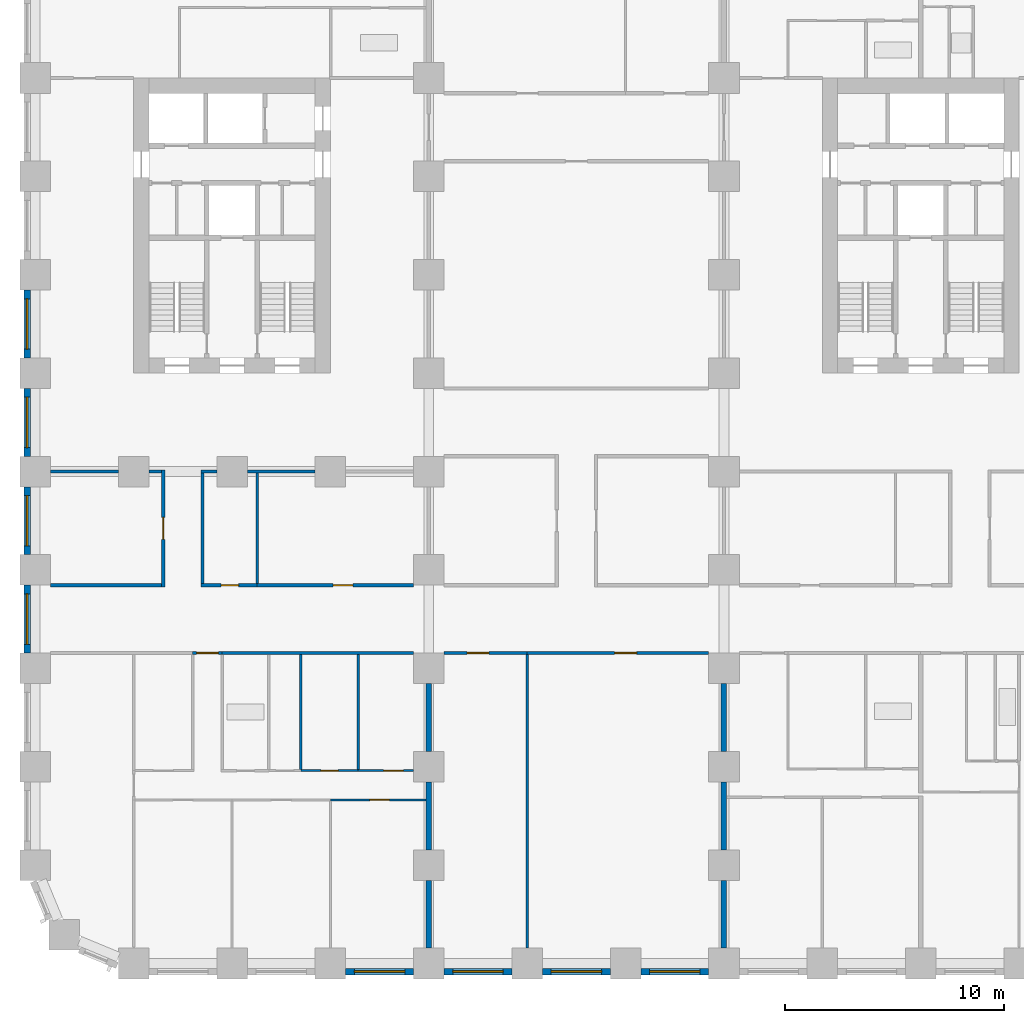
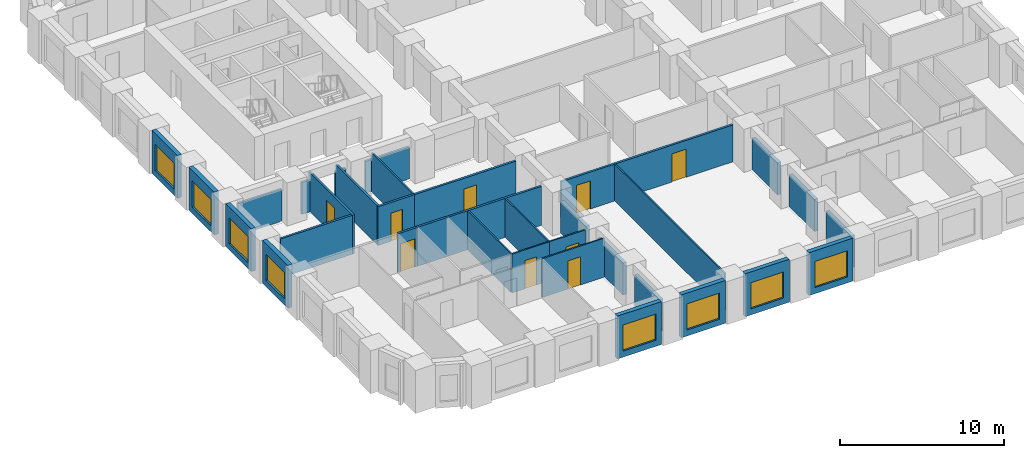
# One storey, part 3 of 12: 34 walls, 9 doors, 8 windows, 17 openings.
"""IFC4 building model written with IfcOpenShell, lengths in metres."""

from ifc_helpers import new_model, si_unit, direction, frame, frame_2d, origin, place, context, subcontext, project, spatial, rectangle, extrude, material, layer, layer_set, type_object, element, fill, save


model = new_model("IFC4")

# Units and contexts
model_context = context("Model", 3, precision=1e-05, world=origin(), true_north=direction((0.0, 1.0)))
body_context = subcontext(model_context, "Body", "Model", "MODEL_VIEW")
ifc_project = project(units=[si_unit("LENGTHUNIT", "METRE"), si_unit("AREAUNIT", "SQUARE_METRE"), si_unit("VOLUMEUNIT", "CUBIC_METRE"), si_unit("PLANEANGLEUNIT", "RADIAN"), si_unit("MASSUNIT", "GRAM", prefix="KILO")], contexts=[model_context])

# Site, building, storey
site_placement = place(None, origin())
site = spatial("IfcSite", under=ifc_project, at=site_placement, CompositionType="ELEMENT")
building_placement = place(site_placement, origin())
building = spatial("IfcBuilding", under=site, at=building_placement, Name="Girih Gate Residences", CompositionType="ELEMENT")
storey_placement = place(building_placement, frame((0.0, 0.0, 59.199951171875)))
storey = spatial("IfcBuildingStorey", under=building, at=storey_placement, Name="L15", CompositionType="ELEMENT", Elevation=59.199951171875)

# Walls
ifc_material_1 = material(Name="Gypsum board on steel studs", Category="steel")
ifc_layer_1 = layer(ifc_material_1, 0.25)
ifc_layer_set_1 = layer_set([ifc_layer_1], Name="Acoustic separating wall 250 mm")
wall_type_1 = type_object("IfcWallType", Name="Acoustic separating wall 250 mm", PredefinedType="PARTITIONING", material=ifc_layer_set_1)
for number, where, z_axis, x_axis, name in (
    (1, (18.0, 5.199951171875, 0.0), (0.0, 0.0, 1.0), (0.0, 1.0, 0.0), "L15 partition"),
    (2, (18.0, 0.699951171875, 0.0), (0.0, 0.0, 1.0), (0.0, 1.0, 0.0), "L15 partition"),
    (3, (18.0, 9.699951171875, 0.0), (0.0, 0.0, 1.0), (0.0, 1.0, 0.0), "L15 partition"),
    (4, (31.5, 9.699951171875, 0.0), (0.0, 0.0, 1.0), (0.0, 1.0, 0.0), "L15 partition"),
    (5, (31.5, 0.699951171875, 0.0), (0.0, 0.0, 1.0), (0.0, 1.0, 0.0), "L15 partition"),
    (6, (31.5, 5.199951171875, 0.0), (0.0, 0.0, 1.0), (0.0, 1.0, 0.0), "L15 partition"),
):
    element("IfcWall", number, at=place(storey_placement, frame(where, z_axis=z_axis, x_axis=x_axis)), inside=storey, type_object=wall_type_1, Name=name, PredefinedType="PARTITIONING", context=body_context, shape_type="SweptSolid", body=[
        extrude(rectangle(XDim=3.10009765625, YDim=0.25, at=frame_2d((1.550048828125, 0.0))), origin(), (0.0, 0.0, 1.0), 2.380126953125),
    ])
ifc_layer_2 = layer(ifc_material_1, 0.14990234375)
ifc_layer_set_2 = layer_set([ifc_layer_2], Name="Compartment wall 150 mm")
wall_type_2 = type_object("IfcWallType", Name="Compartment wall 150 mm", PredefinedType="PARTITIONING", material=ifc_layer_set_2)
wall_1_placement = place(storey_placement, frame((8.550048828125, 14.199951171875, 0.0), z_axis=(0.0, 0.0, 1.0), x_axis=(1.0, 0.0, 0.0)))
element("IfcWall", 7, at=wall_1_placement, inside=storey, type_object=wall_type_2, Name="L15 partition", PredefinedType="PARTITIONING", context=body_context, shape_type="SweptSolid", body=[
    extrude(rectangle(XDim=8.75, YDim=0.14990234375, at=frame_2d((4.375, 0.0))), origin(), (0.0, 0.0, 1.0), 2.900146484375),
])

# Wall, opening, door
wall_2_placement = place(storey_placement, frame((8.550048828125, 14.199951171875, 0.0), z_axis=(0.0, 0.0, 1.0), x_axis=(-1.0, 0.0, 0.0)))
wall_2 = element("IfcWall", 8, at=wall_2_placement, inside=storey, type_object=wall_type_2, Name="L15 partition", PredefinedType="PARTITIONING", context=body_context, shape_type="SweptSolid", body=[
    extrude(rectangle(XDim=1.35009765625, YDim=0.14990234375, at=frame_2d((0.675048828125, 0.0))), origin(), (0.0, 0.0, 1.0), 2.900146484375),
])
opening_1_placement = place(wall_2_placement, frame((0.175048828125, 0.0, 0.0)))
opening_1 = element("IfcOpeningElement", 9, at=opening_1_placement, cuts=wall_2, Name="Opening A15-010", PredefinedType="OPENING", context=body_context, shape_type="SweptSolid", body=[
    extrude(rectangle(XDim=1.0, YDim=2.10009765625, at=frame_2d((0.5, 1.050048828125))), frame((0.0, 0.0849609375, 0.0), z_axis=(0.0, -1.0, 0.0), x_axis=(1.0, 0.0, 0.0)), (0.0, 0.0, 1.0), 0.169921875),
])
ifc_material_2 = material(Name="Timber, fire-rated core", Category="wood")
door_type_1 = type_object("IfcDoorType", Name="Flat entrance door 1000x2100 FD30S", OperationType="NOTDEFINED", PredefinedType="DOOR", material=ifc_material_2)
door_1_placement = place(opening_1_placement, origin())
door_1 = element("IfcDoor", 10, at=door_1_placement, inside=storey, type_object=door_type_1, Name="Door A15-010", OperationType="SINGLE_SWING_RIGHT", OverallHeight=2.10009765625, OverallWidth=1.0, PredefinedType="DOOR", context=body_context, shape_type="SweptSolid", body=[
    extrude(rectangle(XDim=1.0, YDim=2.10009765625, at=frame_2d((0.5, 1.050048828125))), frame((0.0, 0.02490234375, 0.0), z_axis=(0.0, -1.0, 0.0), x_axis=(1.0, 0.0, 0.0)), (0.0, 0.0, 1.0), 0.050048828125),
])
fill(opening_1, door_1)

wall_3_placement = place(storey_placement, frame((22.5, 14.199951171875, 0.0), z_axis=(0.0, 0.0, 1.0), x_axis=(-1.0, 0.0, 0.0)))
wall_3 = element("IfcWall", 11, at=wall_3_placement, inside=storey, type_object=wall_type_2, Name="L15 partition", PredefinedType="PARTITIONING", context=body_context, shape_type="SweptSolid", body=[
    extrude(rectangle(XDim=3.800048828125, YDim=0.14990234375, at=frame_2d((1.89990234375, 0.0))), origin(), (0.0, 0.0, 1.0), 2.75),
])
opening_2_placement = place(wall_3_placement, frame((1.75, 0.0, 0.0)))
opening_2 = element("IfcOpeningElement", 12, at=opening_2_placement, cuts=wall_3, Name="Opening A15-043", PredefinedType="OPENING", context=body_context, shape_type="SweptSolid", body=[
    extrude(rectangle(XDim=1.0, YDim=2.10009765625, at=frame_2d((0.5, 1.050048828125))), frame((0.0, 0.0849609375, 0.0), z_axis=(0.0, -1.0, 0.0), x_axis=(1.0, 0.0, 0.0)), (0.0, 0.0, 1.0), 0.169921875),
])
door_type_2 = type_object("IfcDoorType", Name="Amenity room door 1000x2100 FD30S", OperationType="NOTDEFINED", PredefinedType="DOOR", material=ifc_material_2)
door_2_placement = place(opening_2_placement, origin())
door_2 = element("IfcDoor", 13, at=door_2_placement, inside=storey, type_object=door_type_2, Name="Door A15-043", OperationType="SINGLE_SWING_RIGHT", OverallHeight=2.10009765625, OverallWidth=1.0, PredefinedType="DOOR", context=body_context, shape_type="SweptSolid", body=[
    extrude(rectangle(XDim=1.0, YDim=2.10009765625, at=frame_2d((0.5, 1.050048828125))), frame((0.0, 0.02490234375, 0.0), z_axis=(0.0, -1.0, 0.0), x_axis=(1.0, 0.0, 0.0)), (0.0, 0.0, 1.0), 0.050048828125),
])
fill(opening_2, door_2)

wall_4_placement = place(storey_placement, frame((30.800048828125, 14.199951171875, 0.0), z_axis=(0.0, 0.0, 1.0), x_axis=(-1.0, 0.0, 0.0)))
wall_4 = element("IfcWall", 14, at=wall_4_placement, inside=storey, type_object=wall_type_2, Name="L15 partition", PredefinedType="PARTITIONING", context=body_context, shape_type="SweptSolid", body=[
    extrude(rectangle(XDim=8.300048828125, YDim=0.14990234375, at=frame_2d((4.14990234375, 0.0))), origin(), (0.0, 0.0, 1.0), 2.75),
])
opening_3_placement = place(wall_4_placement, frame((3.300048828125, 0.0, 0.0)))
opening_3 = element("IfcOpeningElement", 15, at=opening_3_placement, cuts=wall_4, Name="Opening A15-044", PredefinedType="OPENING", context=body_context, shape_type="SweptSolid", body=[
    extrude(rectangle(XDim=1.0, YDim=2.10009765625, at=frame_2d((0.5, 1.050048828125))), frame((0.0, 0.0849609375, 0.0), z_axis=(0.0, -1.0, 0.0), x_axis=(1.0, 0.0, 0.0)), (0.0, 0.0, 1.0), 0.169921875),
])
door_3_placement = place(opening_3_placement, origin())
door_3 = element("IfcDoor", 16, at=door_3_placement, inside=storey, type_object=door_type_2, Name="Door A15-044", OperationType="SINGLE_SWING_LEFT", OverallHeight=2.10009765625, OverallWidth=1.0, PredefinedType="DOOR", context=body_context, shape_type="SweptSolid", body=[
    extrude(rectangle(XDim=1.0, YDim=2.10009765625, at=frame_2d((0.5, 1.050048828125))), frame((0.0, 0.02490234375, 0.0), z_axis=(0.0, -1.0, 0.0), x_axis=(1.0, 0.0, 0.0)), (0.0, 0.0, 1.0), 0.050048828125),
])
fill(opening_3, door_3)

wall_5_placement = place(storey_placement, frame((10.14990234375, 17.300048828125, 0.0), z_axis=(0.0, 0.0, 1.0), x_axis=(1.0, 0.0, 0.0)))
wall_5 = element("IfcWall", 17, at=wall_5_placement, inside=storey, type_object=wall_type_2, Name="L15 partition", PredefinedType="PARTITIONING", context=body_context, shape_type="SweptSolid", body=[
    extrude(rectangle(XDim=7.150146484375, YDim=0.14990234375, at=frame_2d((3.5751953125, 0.0))), origin(), (0.0, 0.0, 1.0), 2.900146484375),
])
opening_4_placement = place(wall_5_placement, frame((3.47509765625, 0.0, 0.0)))
opening_4 = element("IfcOpeningElement", 18, at=opening_4_placement, cuts=wall_5, Name="Opening A15-048", PredefinedType="OPENING", context=body_context, shape_type="SweptSolid", body=[
    extrude(rectangle(XDim=0.89990234375, YDim=2.10009765625, at=frame_2d((0.449951171875, 1.050048828125))), frame((0.0, 0.0849609375, 0.0), z_axis=(0.0, -1.0, 0.0), x_axis=(1.0, 0.0, 0.0)), (0.0, 0.0, 1.0), 0.169921875),
])
ifc_material_3 = material(Name="Timber", Category="wood")
door_type_3 = type_object("IfcDoorType", Name="Service room door 900x2100", OperationType="NOTDEFINED", PredefinedType="DOOR", material=ifc_material_3)
door_4_placement = place(opening_4_placement, origin())
door_4 = element("IfcDoor", 19, at=door_4_placement, inside=storey, type_object=door_type_3, Name="Door A15-048", OperationType="SINGLE_SWING_RIGHT", OverallHeight=2.10009765625, OverallWidth=0.89990234375, PredefinedType="DOOR", context=body_context, shape_type="SweptSolid", body=[
    extrude(rectangle(XDim=0.89990234375, YDim=2.10009765625, at=frame_2d((0.449951171875, 1.050048828125))), frame((0.0, 0.02490234375, 0.0), z_axis=(0.0, -1.0, 0.0), x_axis=(1.0, 0.0, 0.0)), (0.0, 0.0, 1.0), 0.050048828125),
])
fill(opening_4, door_4)

wall_6_placement = place(storey_placement, frame((7.574951171875, 17.300048828125, 0.0), z_axis=(0.0, 0.0, 1.0), x_axis=(1.0, 0.0, 0.0)))
wall_6 = element("IfcWall", 20, at=wall_6_placement, inside=storey, type_object=wall_type_2, Name="L15 partition", PredefinedType="PARTITIONING", context=body_context, shape_type="SweptSolid", body=[
    extrude(rectangle(XDim=2.574951171875, YDim=0.14990234375, at=frame_2d((1.28759765625, 0.0))), origin(), (0.0, 0.0, 1.0), 2.900146484375),
])
opening_5_placement = place(wall_6_placement, frame((0.925048828125, 0.0, 0.0)))
opening_5 = element("IfcOpeningElement", 21, at=opening_5_placement, cuts=wall_6, Name="Opening A15-050", PredefinedType="OPENING", context=body_context, shape_type="SweptSolid", body=[
    extrude(rectangle(XDim=0.800048828125, YDim=2.10009765625, at=frame_2d((0.39990234375, 1.050048828125))), frame((0.0, 0.0849609375, 0.0), z_axis=(0.0, -1.0, 0.0), x_axis=(1.0, 0.0, 0.0)), (0.0, 0.0, 1.0), 0.169921875),
])
door_type_4 = type_object("IfcDoorType", Name="Bathroom door 800x2100", OperationType="NOTDEFINED", PredefinedType="DOOR", material=ifc_material_3)
door_5_placement = place(opening_5_placement, origin())
door_5 = element("IfcDoor", 22, at=door_5_placement, inside=storey, type_object=door_type_4, Name="Door A15-050", OperationType="SINGLE_SWING_RIGHT", OverallHeight=2.10009765625, OverallWidth=0.800048828125, PredefinedType="DOOR", context=body_context, shape_type="SweptSolid", body=[
    extrude(rectangle(XDim=0.800048828125, YDim=2.10009765625, at=frame_2d((0.39990234375, 1.050048828125))), frame((0.0, 0.02490234375, 0.0), z_axis=(0.0, -1.0, 0.0), x_axis=(1.0, 0.0, 0.0)), (0.0, 0.0, 1.0), 0.050048828125),
])
fill(opening_5, door_5)

# Walls
wall_7_placement = place(storey_placement, frame((0.699951171875, 17.300048828125, 0.0), z_axis=(0.0, 0.0, 1.0), x_axis=(1.0, 0.0, 0.0)))
element("IfcWall", 23, at=wall_7_placement, inside=storey, type_object=wall_type_2, Name="L15 partition", PredefinedType="PARTITIONING", context=body_context, shape_type="SweptSolid", body=[
    extrude(rectangle(XDim=5.074951171875, YDim=0.14990234375, at=frame_2d((2.53759765625, 0.0))), origin(), (0.0, 0.0, 1.0), 2.900146484375),
])
wall_8_placement = place(storey_placement, frame((9.699951171875, 22.5, 0.0), z_axis=(0.0, 0.0, 1.0), x_axis=(1.0, 0.0, 0.0)))
element("IfcWall", 24, at=wall_8_placement, inside=storey, type_object=wall_type_2, Name="L15 partition", PredefinedType="PARTITIONING", context=body_context, shape_type="SweptSolid", body=[
    extrude(rectangle(XDim=3.10009765625, YDim=0.14990234375, at=frame_2d((1.550048828125, 0.0))), origin(), (0.0, 0.0, 1.0), 2.380126953125),
])
wall_9_placement = place(storey_placement, frame((7.574951171875, 22.5, 0.0), z_axis=(0.0, 0.0, 1.0), x_axis=(1.0, 0.0, 0.0)))
element("IfcWall", 25, at=wall_9_placement, inside=storey, type_object=wall_type_2, Name="L15 partition", PredefinedType="PARTITIONING", context=body_context, shape_type="SweptSolid", body=[
    extrude(rectangle(XDim=0.72509765625, YDim=0.14990234375, at=frame_2d((0.362548828125, 0.0))), origin(), (0.0, 0.0, 1.0), 2.380126953125),
])
wall_10_placement = place(storey_placement, frame((5.199951171875, 22.5, 0.0), z_axis=(0.0, 0.0, 1.0), x_axis=(1.0, 0.0, 0.0)))
element("IfcWall", 26, at=wall_10_placement, inside=storey, type_object=wall_type_2, Name="L15 partition", PredefinedType="PARTITIONING", context=body_context, shape_type="SweptSolid", body=[
    extrude(rectangle(XDim=0.574951171875, YDim=0.14990234375, at=frame_2d((0.28759765625, 0.0))), origin(), (0.0, 0.0, 1.0), 2.380126953125),
])
wall_11_placement = place(storey_placement, frame((0.699951171875, 22.5, 0.0), z_axis=(0.0, 0.0, 1.0), x_axis=(1.0, 0.0, 0.0)))
element("IfcWall", 27, at=wall_11_placement, inside=storey, type_object=wall_type_2, Name="L15 partition", PredefinedType="PARTITIONING", context=body_context, shape_type="SweptSolid", body=[
    extrude(rectangle(XDim=3.10009765625, YDim=0.14990234375, at=frame_2d((1.550048828125, 0.0))), origin(), (0.0, 0.0, 1.0), 2.380126953125),
])
wall_12_placement = place(storey_placement, frame((7.64990234375, 17.375, 0.0), z_axis=(0.0, 0.0, 1.0), x_axis=(0.0, 1.0, 0.0)))
element("IfcWall", 28, at=wall_12_placement, inside=storey, type_object=wall_type_2, Name="L15 partition", PredefinedType="PARTITIONING", context=body_context, shape_type="SweptSolid", body=[
    extrude(rectangle(XDim=5.050048828125, YDim=0.14990234375, at=frame_2d((2.52490234375, 0.0))), origin(), (0.0, 0.0, 1.0), 2.900146484375),
])

# Wall, opening, door
wall_13_placement = place(storey_placement, frame((5.85009765625, 17.22509765625, 0.0), z_axis=(0.0, 0.0, 1.0), x_axis=(0.0, 1.0, 0.0)))
wall_13 = element("IfcWall", 29, at=wall_13_placement, inside=storey, type_object=wall_type_2, Name="L15 partition", PredefinedType="PARTITIONING", context=body_context, shape_type="SweptSolid", body=[
    extrude(rectangle(XDim=5.349853515625, YDim=0.14990234375, at=frame_2d((2.6748046875, 0.0))), origin(), (0.0, 0.0, 1.0), 2.900146484375),
])
opening_6_placement = place(wall_13_placement, frame((2.175048828125, 0.0, 0.0)))
opening_6 = element("IfcOpeningElement", 30, at=opening_6_placement, cuts=wall_13, Name="Opening A15-052", PredefinedType="OPENING", context=body_context, shape_type="SweptSolid", body=[
    extrude(rectangle(XDim=1.0, YDim=2.10009765625, at=frame_2d((0.5, 1.050048828125))), frame((0.0, 0.0849609375, 0.0), z_axis=(0.0, -1.0, 0.0), x_axis=(1.0, 0.0, 0.0)), (0.0, 0.0, 1.0), 0.169921875),
])
door_6_placement = place(opening_6_placement, origin())
door_6 = element("IfcDoor", 31, at=door_6_placement, inside=storey, type_object=door_type_2, Name="Door A15-052", OperationType="SINGLE_SWING_LEFT", OverallHeight=2.10009765625, OverallWidth=1.0, PredefinedType="DOOR", context=body_context, shape_type="SweptSolid", body=[
    extrude(rectangle(XDim=1.0, YDim=2.10009765625, at=frame_2d((0.5, 1.050048828125))), frame((0.0, 0.02490234375, 0.0), z_axis=(0.0, -1.0, 0.0), x_axis=(1.0, 0.0, 0.0)), (0.0, 0.0, 1.0), 0.050048828125),
])
fill(opening_6, door_6)

ifc_layer_3 = layer(ifc_material_1, 0.10009765625)
ifc_layer_set_3 = layer_set([ifc_layer_3], Name="Partition 100 mm")
wall_type_3 = type_object("IfcWallType", Name="Partition 100 mm", PredefinedType="PARTITIONING", material=ifc_layer_set_3)
wall_14_placement = place(storey_placement, frame((17.875, 7.47998046875, 0.0), z_axis=(0.0, 0.0, 1.0), x_axis=(-1.0, 0.0, 0.0)))
wall_14 = element("IfcWall", 32, at=wall_14_placement, inside=storey, type_object=wall_type_3, Name="L15 partition", PredefinedType="PARTITIONING", context=body_context, shape_type="SweptSolid", body=[
    extrude(rectangle(XDim=4.375, YDim=0.10009765625, at=frame_2d((2.1875, 0.0))), origin(), (0.0, 0.0, 1.0), 2.900146484375),
])
opening_7_placement = place(wall_14_placement, frame((1.675048828125, 0.0, 0.0)))
opening_7 = element("IfcOpeningElement", 33, at=opening_7_placement, cuts=wall_14, Name="Opening A15-004", PredefinedType="OPENING", context=body_context, shape_type="SweptSolid", body=[
    extrude(rectangle(XDim=0.89990234375, YDim=2.10009765625, at=frame_2d((0.449951171875, 1.050048828125))), frame((0.0, 0.06005859375, 0.0), z_axis=(0.0, -1.0, 0.0), x_axis=(1.0, 0.0, 0.0)), (0.0, 0.0, 1.0), 0.1201171875),
])
door_type_5 = type_object("IfcDoorType", Name="Bedroom door 900x2100", OperationType="NOTDEFINED", PredefinedType="DOOR", material=ifc_material_3)
door_7_placement = place(opening_7_placement, origin())
door_7 = element("IfcDoor", 34, at=door_7_placement, inside=storey, type_object=door_type_5, Name="Door A15-004", OperationType="SINGLE_SWING_LEFT", OverallHeight=2.10009765625, OverallWidth=0.89990234375, PredefinedType="DOOR", context=body_context, shape_type="SweptSolid", body=[
    extrude(rectangle(XDim=0.89990234375, YDim=2.10009765625, at=frame_2d((0.449951171875, 1.050048828125))), frame((0.0, 0.02490234375, 0.0), z_axis=(0.0, -1.0, 0.0), x_axis=(1.0, 0.0, 0.0)), (0.0, 0.0, 1.0), 0.050048828125),
])
fill(opening_7, door_7)

wall_15_placement = place(storey_placement, frame((12.143310546875, 8.820068359375, 0.0), z_axis=(0.0, 0.0, 1.0), x_axis=(1.0, 0.0, 0.0)))
wall_15 = element("IfcWall", 35, at=wall_15_placement, inside=storey, type_object=wall_type_3, Name="L15 partition", PredefinedType="PARTITIONING", context=body_context, shape_type="SweptSolid", body=[
    extrude(rectangle(XDim=2.627685546875, YDim=0.10009765625, at=frame_2d((1.31396484375, 0.0))), origin(), (0.0, 0.0, 1.0), 2.900146484375),
])
opening_8_placement = place(wall_15_placement, frame((0.913818359375, 0.0, 0.0)))
opening_8 = element("IfcOpeningElement", 36, at=opening_8_placement, cuts=wall_15, Name="Opening A15-005", PredefinedType="OPENING", context=body_context, shape_type="SweptSolid", body=[
    extrude(rectangle(XDim=0.800048828125, YDim=2.10009765625, at=frame_2d((0.39990234375, 1.050048828125))), frame((0.0, 0.06005859375, 0.0), z_axis=(0.0, -1.0, 0.0), x_axis=(1.0, 0.0, 0.0)), (0.0, 0.0, 1.0), 0.1201171875),
])
door_type_6 = type_object("IfcDoorType", Name="Store door 800x2100", OperationType="NOTDEFINED", PredefinedType="DOOR", material=ifc_material_3)
door_8_placement = place(opening_8_placement, origin())
door_8 = element("IfcDoor", 37, at=door_8_placement, inside=storey, type_object=door_type_6, Name="Door A15-005", OperationType="SINGLE_SWING_LEFT", OverallHeight=2.10009765625, OverallWidth=0.800048828125, PredefinedType="DOOR", context=body_context, shape_type="SweptSolid", body=[
    extrude(rectangle(XDim=0.800048828125, YDim=2.10009765625, at=frame_2d((0.39990234375, 1.050048828125))), frame((0.0, 0.02490234375, 0.0), z_axis=(0.0, -1.0, 0.0), x_axis=(1.0, 0.0, 0.0)), (0.0, 0.0, 1.0), 0.050048828125),
])
fill(opening_8, door_8)

# Walls
for number, where, z_axis, x_axis, name in (
    (38, (12.14306640625, 8.8701171875, 0.0), (0.0, 0.0, 1.0), (0.0, 1.0, 0.0), "L15 partition"),
    (39, (14.77099609375, 8.8701171875, 0.0), (0.0, 0.0, 1.0), (0.0, 1.0, 0.0), "L15 partition"),
):
    element("IfcWall", number, at=place(storey_placement, frame(where, z_axis=z_axis, x_axis=x_axis)), inside=storey, type_object=wall_type_3, Name=name, PredefinedType="PARTITIONING", context=body_context, shape_type="SweptSolid", body=[
        extrude(rectangle(XDim=5.2548828125, YDim=0.10009765625, at=frame_2d((2.62744140625, 0.0))), origin(), (0.0, 0.0, 1.0), 2.900146484375),
    ])

# Wall, opening, door
wall_16_placement = place(storey_placement, frame((14.77099609375, 8.820068359375, 0.0), z_axis=(0.0, 0.0, 1.0), x_axis=(1.0, 0.0, 0.0)))
wall_16 = element("IfcWall", 40, at=wall_16_placement, inside=storey, type_object=wall_type_3, Name="L15 partition", PredefinedType="PARTITIONING", context=body_context, shape_type="SweptSolid", body=[
    extrude(rectangle(XDim=2.529052734375, YDim=0.10009765625, at=frame_2d((1.2646484375, 0.0))), origin(), (0.0, 0.0, 1.0), 2.900146484375),
])
opening_9_placement = place(wall_16_placement, frame((1.16455078125, 0.0, 0.0)))
opening_9 = element("IfcOpeningElement", 41, at=opening_9_placement, cuts=wall_16, Name="Opening A15-009", PredefinedType="OPENING", context=body_context, shape_type="SweptSolid", body=[
    extrude(rectangle(XDim=0.89990234375, YDim=2.10009765625, at=frame_2d((0.449951171875, 1.050048828125))), frame((0.0, 0.06005859375, 0.0), z_axis=(0.0, -1.0, 0.0), x_axis=(1.0, 0.0, 0.0)), (0.0, 0.0, 1.0), 0.1201171875),
])
door_9_placement = place(opening_9_placement, origin())
door_9 = element("IfcDoor", 42, at=door_9_placement, inside=storey, type_object=door_type_5, Name="Door A15-009", OperationType="SINGLE_SWING_RIGHT", OverallHeight=2.10009765625, OverallWidth=0.89990234375, PredefinedType="DOOR", context=body_context, shape_type="SweptSolid", body=[
    extrude(rectangle(XDim=0.89990234375, YDim=2.10009765625, at=frame_2d((0.449951171875, 1.050048828125))), frame((0.0, 0.02490234375, 0.0), z_axis=(0.0, -1.0, 0.0), x_axis=(1.0, 0.0, 0.0)), (0.0, 0.0, 1.0), 0.050048828125),
])
fill(opening_9, door_9)

# Walls
wall_17_placement = place(storey_placement, frame((22.5, 0.699951171875, 0.0), z_axis=(0.0, 0.0, 1.0), x_axis=(0.0, 1.0, 0.0)))
element("IfcWall", 43, at=wall_17_placement, inside=storey, type_object=wall_type_3, Name="L15 partition", PredefinedType="PARTITIONING", context=body_context, shape_type="SweptSolid", body=[
    extrude(rectangle(XDim=13.425048828125, YDim=0.10009765625, at=frame_2d((6.71240234375, 0.0))), origin(), (0.0, 0.0, 1.0), 2.75),
])
wall_18_placement = place(storey_placement, frame((10.14990234375, 17.375, 0.0), z_axis=(0.0, 0.0, 1.0), x_axis=(0.0, 1.0, 0.0)))
element("IfcWall", 44, at=wall_18_placement, inside=storey, type_object=wall_type_3, Name="L15 partition", PredefinedType="PARTITIONING", context=body_context, shape_type="SweptSolid", body=[
    extrude(rectangle(XDim=5.050048828125, YDim=0.10009765625, at=frame_2d((2.52490234375, 0.0))), origin(), (0.0, 0.0, 1.0), 2.900146484375),
])

# Wall, opening, window
ifc_material_4 = material(Name="Precast concrete C50/60", Category="concrete")
ifc_layer_4 = layer(ifc_material_4, 0.080078125, Name="Outer leaf")
ifc_material_5 = material(Name="Rigid PIR insulation")
ifc_layer_5 = layer(ifc_material_5, 0.14990234375, Name="Insulation")
ifc_material_6 = material(Name="Precast concrete C40/50", Category="concrete")
ifc_layer_6 = layer(ifc_material_6, 0.070068359375, Name="Inner leaf")
ifc_layer_set_4 = layer_set([ifc_layer_4, ifc_layer_5, ifc_layer_6], Name="Precast concrete C50/60 external wall 300")
wall_type_4 = type_object("IfcWallType", Name="Precast concrete C50/60 external wall 300", PredefinedType="SOLIDWALL", material=ifc_layer_set_4)
wall_19_placement = place(storey_placement, frame((17.300048828125, -0.375, 0.0), z_axis=(0.0, 0.0, 1.0), x_axis=(-1.0, 0.0, 0.0)))
wall_19 = element("IfcWall", 45, at=wall_19_placement, inside=storey, type_object=wall_type_4, Name="External wall S0045_0000.2", PredefinedType="SOLIDWALL", context=body_context, shape_type="SweptSolid", body=[
    extrude(rectangle(XDim=3.10009765625, YDim=0.300048828125, at=frame_2d((1.550048828125, 0.0))), origin(), (0.0, 0.0, 1.0), 3.199951171875),
])
opening_10_placement = place(wall_19_placement, frame((0.39990234375, 0.0, 0.449951171875)))
opening_10 = element("IfcOpeningElement", 46, at=opening_10_placement, cuts=wall_19, Name="Opening W-1", PredefinedType="OPENING", context=body_context, shape_type="SweptSolid", body=[
    extrude(rectangle(XDim=2.300048828125, YDim=1.949951171875, at=frame_2d((1.14990234375, 0.97509765625))), frame((0.0, 0.159912109375, 0.0), z_axis=(0.0, -1.0, 0.0), x_axis=(1.0, 0.0, 0.0)), (0.0, 0.0, 1.0), 0.320068359375),
])
ifc_material_7 = material(Name="Double glazing in aluminium frame", Category="aluminium")
window_type = type_object("IfcWindowType", Name="Window W-1 2300x1950", PartitioningType="SINGLE_PANEL", PredefinedType="WINDOW", material=ifc_material_7)
window_1_placement = place(opening_10_placement, origin())
window_1 = element("IfcWindow", 47, at=window_1_placement, inside=storey, type_object=window_type, Name="Window W-1 S0045_0000.2", OverallHeight=1.949951171875, OverallWidth=2.300048828125, PartitioningType="SINGLE_PANEL", PredefinedType="WINDOW", context=body_context, shape_type="SweptSolid", body=[
    extrude(rectangle(XDim=2.300048828125, YDim=1.949951171875, at=frame_2d((1.14990234375, 0.97509765625))), frame((0.0, 0.030029296875, 0.0), z_axis=(0.0, -1.0, 0.0), x_axis=(1.0, 0.0, 0.0)), (0.0, 0.0, 1.0), 0.06005859375),
])
fill(opening_10, window_1)

wall_20_placement = place(storey_placement, frame((21.800048828125, -0.375, 0.0), z_axis=(0.0, 0.0, 1.0), x_axis=(-1.0, 0.0, 0.0)))
wall_20 = element("IfcWall", 48, at=wall_20_placement, inside=storey, type_object=wall_type_4, Name="External wall S0045_0000.3", PredefinedType="SOLIDWALL", context=body_context, shape_type="SweptSolid", body=[
    extrude(rectangle(XDim=3.10009765625, YDim=0.300048828125, at=frame_2d((1.550048828125, 0.0))), origin(), (0.0, 0.0, 1.0), 3.199951171875),
])
opening_11_placement = place(wall_20_placement, frame((0.39990234375, 0.0, 0.449951171875)))
opening_11 = element("IfcOpeningElement", 49, at=opening_11_placement, cuts=wall_20, Name="Opening W-1", PredefinedType="OPENING", context=body_context, shape_type="SweptSolid", body=[
    extrude(rectangle(XDim=2.300048828125, YDim=1.949951171875, at=frame_2d((1.14990234375, 0.97509765625))), frame((0.0, 0.159912109375, 0.0), z_axis=(0.0, -1.0, 0.0), x_axis=(1.0, 0.0, 0.0)), (0.0, 0.0, 1.0), 0.320068359375),
])
window_2_placement = place(opening_11_placement, origin())
window_2 = element("IfcWindow", 50, at=window_2_placement, inside=storey, type_object=window_type, Name="Window W-1 S0045_0000.3", OverallHeight=1.949951171875, OverallWidth=2.300048828125, PartitioningType="SINGLE_PANEL", PredefinedType="WINDOW", context=body_context, shape_type="SweptSolid", body=[
    extrude(rectangle(XDim=2.300048828125, YDim=1.949951171875, at=frame_2d((1.14990234375, 0.97509765625))), frame((0.0, 0.030029296875, 0.0), z_axis=(0.0, -1.0, 0.0), x_axis=(1.0, 0.0, 0.0)), (0.0, 0.0, 1.0), 0.06005859375),
])
fill(opening_11, window_2)

wall_21_placement = place(storey_placement, frame((26.300048828125, -0.375, 0.0), z_axis=(0.0, 0.0, 1.0), x_axis=(-1.0, 0.0, 0.0)))
wall_21 = element("IfcWall", 51, at=wall_21_placement, inside=storey, type_object=wall_type_4, Name="External wall S0045_0000.4", PredefinedType="SOLIDWALL", context=body_context, shape_type="SweptSolid", body=[
    extrude(rectangle(XDim=3.10009765625, YDim=0.300048828125, at=frame_2d((1.550048828125, 0.0))), origin(), (0.0, 0.0, 1.0), 3.199951171875),
])
opening_12_placement = place(wall_21_placement, frame((0.39990234375, 0.0, 0.449951171875)))
opening_12 = element("IfcOpeningElement", 52, at=opening_12_placement, cuts=wall_21, Name="Opening W-1", PredefinedType="OPENING", context=body_context, shape_type="SweptSolid", body=[
    extrude(rectangle(XDim=2.300048828125, YDim=1.949951171875, at=frame_2d((1.14990234375, 0.97509765625))), frame((0.0, 0.159912109375, 0.0), z_axis=(0.0, -1.0, 0.0), x_axis=(1.0, 0.0, 0.0)), (0.0, 0.0, 1.0), 0.320068359375),
])
window_3_placement = place(opening_12_placement, origin())
window_3 = element("IfcWindow", 53, at=window_3_placement, inside=storey, type_object=window_type, Name="Window W-1 S0045_0000.4", OverallHeight=1.949951171875, OverallWidth=2.300048828125, PartitioningType="SINGLE_PANEL", PredefinedType="WINDOW", context=body_context, shape_type="SweptSolid", body=[
    extrude(rectangle(XDim=2.300048828125, YDim=1.949951171875, at=frame_2d((1.14990234375, 0.97509765625))), frame((0.0, 0.030029296875, 0.0), z_axis=(0.0, -1.0, 0.0), x_axis=(1.0, 0.0, 0.0)), (0.0, 0.0, 1.0), 0.06005859375),
])
fill(opening_12, window_3)

wall_22_placement = place(storey_placement, frame((30.800048828125, -0.375, 0.0), z_axis=(0.0, 0.0, 1.0), x_axis=(-1.0, 0.0, 0.0)))
wall_22 = element("IfcWall", 54, at=wall_22_placement, inside=storey, type_object=wall_type_4, Name="External wall S0045_0000.5", PredefinedType="SOLIDWALL", context=body_context, shape_type="SweptSolid", body=[
    extrude(rectangle(XDim=3.10009765625, YDim=0.300048828125, at=frame_2d((1.550048828125, 0.0))), origin(), (0.0, 0.0, 1.0), 3.199951171875),
])
opening_13_placement = place(wall_22_placement, frame((0.39990234375, 0.0, 0.449951171875)))
opening_13 = element("IfcOpeningElement", 55, at=opening_13_placement, cuts=wall_22, Name="Opening W-1", PredefinedType="OPENING", context=body_context, shape_type="SweptSolid", body=[
    extrude(rectangle(XDim=2.300048828125, YDim=1.949951171875, at=frame_2d((1.14990234375, 0.97509765625))), frame((0.0, 0.159912109375, 0.0), z_axis=(0.0, -1.0, 0.0), x_axis=(1.0, 0.0, 0.0)), (0.0, 0.0, 1.0), 0.320068359375),
])
window_4_placement = place(opening_13_placement, origin())
window_4 = element("IfcWindow", 56, at=window_4_placement, inside=storey, type_object=window_type, Name="Window W-1 S0045_0000.5", OverallHeight=1.949951171875, OverallWidth=2.300048828125, PartitioningType="SINGLE_PANEL", PredefinedType="WINDOW", context=body_context, shape_type="SweptSolid", body=[
    extrude(rectangle(XDim=2.300048828125, YDim=1.949951171875, at=frame_2d((1.14990234375, 0.97509765625))), frame((0.0, 0.030029296875, 0.0), z_axis=(0.0, -1.0, 0.0), x_axis=(1.0, 0.0, 0.0)), (0.0, 0.0, 1.0), 0.06005859375),
])
fill(opening_13, window_4)

wall_23_placement = place(storey_placement, frame((-0.375, 27.699951171875, 0.0), z_axis=(0.0, 0.0, 1.0), x_axis=(0.0, 1.0, 0.0)))
wall_23 = element("IfcWall", 57, at=wall_23_placement, inside=storey, type_object=wall_type_4, Name="External wall W0000_0450.3", PredefinedType="SOLIDWALL", context=body_context, shape_type="SweptSolid", body=[
    extrude(rectangle(XDim=3.10009765625, YDim=0.300048828125, at=frame_2d((1.550048828125, 0.0))), origin(), (0.0, 0.0, 1.0), 3.199951171875),
])
opening_14_placement = place(wall_23_placement, frame((0.39990234375, 0.0, 0.449951171875)))
opening_14 = element("IfcOpeningElement", 58, at=opening_14_placement, cuts=wall_23, Name="Opening W-1", PredefinedType="OPENING", context=body_context, shape_type="SweptSolid", body=[
    extrude(rectangle(XDim=2.300048828125, YDim=1.949951171875, at=frame_2d((1.14990234375, 0.97509765625))), frame((0.0, 0.159912109375, 0.0), z_axis=(0.0, -1.0, 0.0), x_axis=(1.0, 0.0, 0.0)), (0.0, 0.0, 1.0), 0.320068359375),
])
window_5_placement = place(opening_14_placement, origin())
window_5 = element("IfcWindow", 59, at=window_5_placement, inside=storey, type_object=window_type, Name="Window W-1 W0000_0450.3", OverallHeight=1.949951171875, OverallWidth=2.300048828125, PartitioningType="SINGLE_PANEL", PredefinedType="WINDOW", context=body_context, shape_type="SweptSolid", body=[
    extrude(rectangle(XDim=2.300048828125, YDim=1.949951171875, at=frame_2d((1.14990234375, 0.97509765625))), frame((0.0, 0.030029296875, 0.0), z_axis=(0.0, -1.0, 0.0), x_axis=(1.0, 0.0, 0.0)), (0.0, 0.0, 1.0), 0.06005859375),
])
fill(opening_14, window_5)

wall_24_placement = place(storey_placement, frame((-0.375, 23.199951171875, 0.0), z_axis=(0.0, 0.0, 1.0), x_axis=(0.0, 1.0, 0.0)))
wall_24 = element("IfcWall", 60, at=wall_24_placement, inside=storey, type_object=wall_type_4, Name="External wall W0000_0450.4", PredefinedType="SOLIDWALL", context=body_context, shape_type="SweptSolid", body=[
    extrude(rectangle(XDim=3.10009765625, YDim=0.300048828125, at=frame_2d((1.550048828125, 0.0))), origin(), (0.0, 0.0, 1.0), 3.199951171875),
])
opening_15_placement = place(wall_24_placement, frame((0.39990234375, 0.0, 0.449951171875)))
opening_15 = element("IfcOpeningElement", 61, at=opening_15_placement, cuts=wall_24, Name="Opening W-1", PredefinedType="OPENING", context=body_context, shape_type="SweptSolid", body=[
    extrude(rectangle(XDim=2.300048828125, YDim=1.949951171875, at=frame_2d((1.14990234375, 0.97509765625))), frame((0.0, 0.159912109375, 0.0), z_axis=(0.0, -1.0, 0.0), x_axis=(1.0, 0.0, 0.0)), (0.0, 0.0, 1.0), 0.320068359375),
])
window_6_placement = place(opening_15_placement, origin())
window_6 = element("IfcWindow", 62, at=window_6_placement, inside=storey, type_object=window_type, Name="Window W-1 W0000_0450.4", OverallHeight=1.949951171875, OverallWidth=2.300048828125, PartitioningType="SINGLE_PANEL", PredefinedType="WINDOW", context=body_context, shape_type="SweptSolid", body=[
    extrude(rectangle(XDim=2.300048828125, YDim=1.949951171875, at=frame_2d((1.14990234375, 0.97509765625))), frame((0.0, 0.030029296875, 0.0), z_axis=(0.0, -1.0, 0.0), x_axis=(1.0, 0.0, 0.0)), (0.0, 0.0, 1.0), 0.06005859375),
])
fill(opening_15, window_6)

wall_25_placement = place(storey_placement, frame((-0.375, 18.699951171875, 0.0), z_axis=(0.0, 0.0, 1.0), x_axis=(0.0, 1.0, 0.0)))
wall_25 = element("IfcWall", 63, at=wall_25_placement, inside=storey, type_object=wall_type_4, Name="External wall W0000_0450.5", PredefinedType="SOLIDWALL", context=body_context, shape_type="SweptSolid", body=[
    extrude(rectangle(XDim=3.10009765625, YDim=0.300048828125, at=frame_2d((1.550048828125, 0.0))), origin(), (0.0, 0.0, 1.0), 3.199951171875),
])
opening_16_placement = place(wall_25_placement, frame((0.39990234375, 0.0, 0.449951171875)))
opening_16 = element("IfcOpeningElement", 64, at=opening_16_placement, cuts=wall_25, Name="Opening W-1", PredefinedType="OPENING", context=body_context, shape_type="SweptSolid", body=[
    extrude(rectangle(XDim=2.300048828125, YDim=1.949951171875, at=frame_2d((1.14990234375, 0.97509765625))), frame((0.0, 0.159912109375, 0.0), z_axis=(0.0, -1.0, 0.0), x_axis=(1.0, 0.0, 0.0)), (0.0, 0.0, 1.0), 0.320068359375),
])
window_7_placement = place(opening_16_placement, origin())
window_7 = element("IfcWindow", 65, at=window_7_placement, inside=storey, type_object=window_type, Name="Window W-1 W0000_0450.5", OverallHeight=1.949951171875, OverallWidth=2.300048828125, PartitioningType="SINGLE_PANEL", PredefinedType="WINDOW", context=body_context, shape_type="SweptSolid", body=[
    extrude(rectangle(XDim=2.300048828125, YDim=1.949951171875, at=frame_2d((1.14990234375, 0.97509765625))), frame((0.0, 0.030029296875, 0.0), z_axis=(0.0, -1.0, 0.0), x_axis=(1.0, 0.0, 0.0)), (0.0, 0.0, 1.0), 0.06005859375),
])
fill(opening_16, window_7)

wall_26_placement = place(storey_placement, frame((-0.375, 14.199951171875, 0.0), z_axis=(0.0, 0.0, 1.0), x_axis=(0.0, 1.0, 0.0)))
wall_26 = element("IfcWall", 66, at=wall_26_placement, inside=storey, type_object=wall_type_4, Name="External wall W0000_0450.6", PredefinedType="SOLIDWALL", context=body_context, shape_type="SweptSolid", body=[
    extrude(rectangle(XDim=3.10009765625, YDim=0.300048828125, at=frame_2d((1.550048828125, 0.0))), origin(), (0.0, 0.0, 1.0), 3.199951171875),
])
opening_17_placement = place(wall_26_placement, frame((0.39990234375, 0.0, 0.449951171875)))
opening_17 = element("IfcOpeningElement", 67, at=opening_17_placement, cuts=wall_26, Name="Opening W-1", PredefinedType="OPENING", context=body_context, shape_type="SweptSolid", body=[
    extrude(rectangle(XDim=2.300048828125, YDim=1.949951171875, at=frame_2d((1.14990234375, 0.97509765625))), frame((0.0, 0.159912109375, 0.0), z_axis=(0.0, -1.0, 0.0), x_axis=(1.0, 0.0, 0.0)), (0.0, 0.0, 1.0), 0.320068359375),
])
window_8_placement = place(opening_17_placement, origin())
window_8 = element("IfcWindow", 68, at=window_8_placement, inside=storey, type_object=window_type, Name="Window W-1 W0000_0450.6", OverallHeight=1.949951171875, OverallWidth=2.300048828125, PartitioningType="SINGLE_PANEL", PredefinedType="WINDOW", context=body_context, shape_type="SweptSolid", body=[
    extrude(rectangle(XDim=2.300048828125, YDim=1.949951171875, at=frame_2d((1.14990234375, 0.97509765625))), frame((0.0, 0.030029296875, 0.0), z_axis=(0.0, -1.0, 0.0), x_axis=(1.0, 0.0, 0.0)), (0.0, 0.0, 1.0), 0.06005859375),
])
fill(opening_17, window_8)

save(model, "model.ifc")
